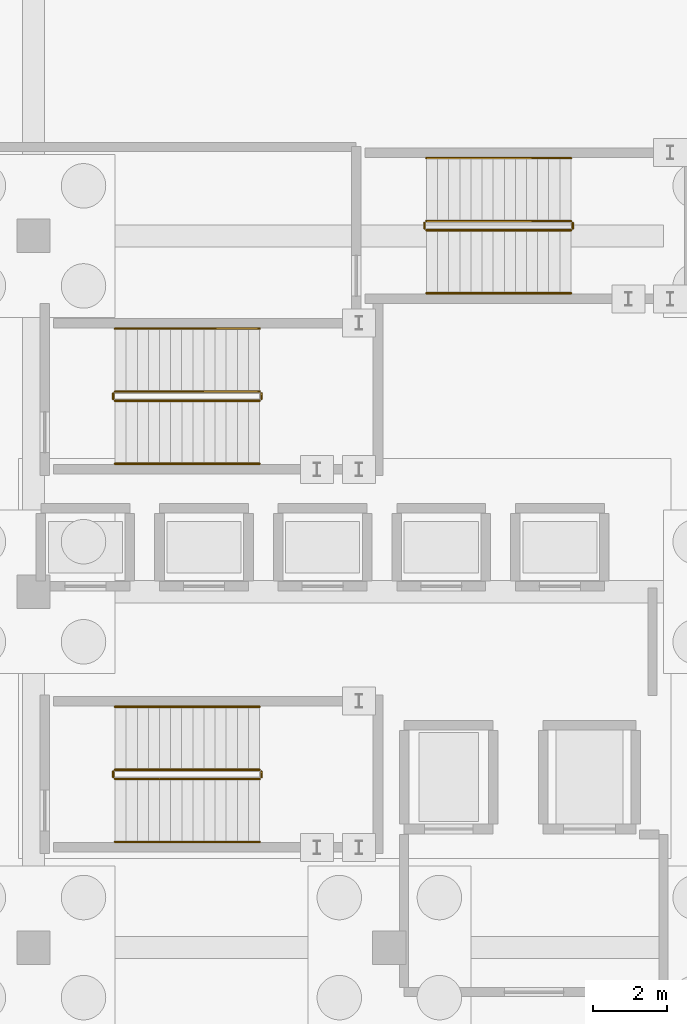
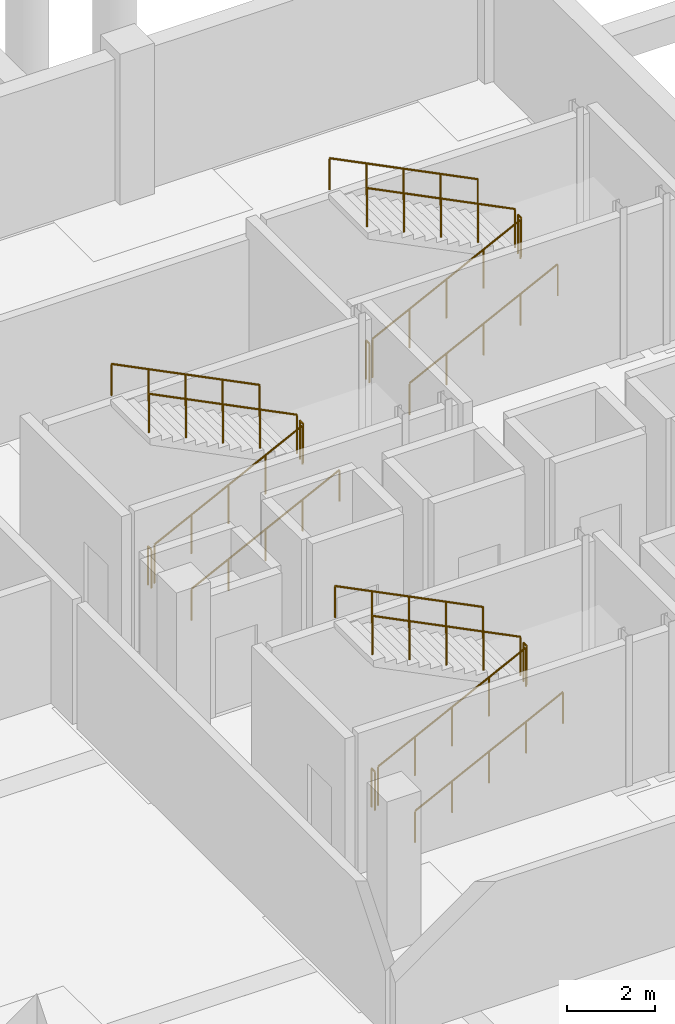
# One storey, part 53 of 54: 18 railings.
"""IFC4 building model written with IfcOpenShell, lengths in metres."""

import ifcopenshell
import ifcopenshell.guid

model = None  # the IFC model being written
_history = None  # IfcOwnerHistory: only IFC2X3 demands one
_inside = {}  # id of a spatial element -> (the spatial element, [elements in it])
_under = {}  # id of a project, library or spatial element -> (it, [spatial elements below it])
_declared = {}  # id of a project -> (the project, [libraries it declares])
_typed = {}  # id of a type object -> (the type object, [elements of that type])
_made_of = {}  # id of a material, layer set ... -> (it, [elements and type objects made of it])


def new_model(schema):
    """Start an empty IFC model of exactly this schema.

    Asked for "IFC4X3", IfcOpenShell would pick the latest addendum, in which some entities
    have other attributes; the version numbers below select the first issue.
    IFC2X3 requires an IfcOwnerHistory on every rooted entity: one is made here for all.
    """
    global model, _history
    if schema == "IFC4X3":
        model = ifcopenshell.file(schema_version=(4, 3, 0, 0))
    else:
        model = ifcopenshell.file(schema=schema)
    _inside.clear()
    _under.clear()
    _declared.clear()
    _typed.clear()
    _made_of.clear()
    _history = None
    if model.schema == "IFC2X3":
        org = make("IfcOrganization", Name="unknown")
        user = make(
            "IfcPersonAndOrganization",
            ThePerson=make("IfcPerson", FamilyName="unknown"),
            TheOrganization=org,
        )
        app = make(
            "IfcApplication",
            ApplicationDeveloper=org,
            Version="unknown",
            ApplicationFullName="unknown",
            ApplicationIdentifier="unknown",
        )
        _history = make(
            "IfcOwnerHistory",
            OwningUser=user,
            OwningApplication=app,
            ChangeAction="ADDED",
            CreationDate=0,
        )
    return model


def make(cls, **values):
    """One entity of the class cls with the attributes given. An attribute that is None is left unset."""
    return model.create_entity(
        cls, **{name: value for name, value in values.items() if value is not None}
    )


def rooted(cls, **values):
    """An entity with a GlobalId (a new one), such as an element, a storey or a relation."""
    return make(cls, GlobalId=ifcopenshell.guid.new(), OwnerHistory=_history, **values)


def si_unit(unit_type, name, prefix=None):
    """IfcSIUnit, for example si_unit("LENGTHUNIT", "METRE", prefix="MILLI")."""
    return make("IfcSIUnit", UnitType=unit_type, Prefix=prefix, Name=name)


def assignment(units):
    """IfcUnitAssignment: the units of a project."""
    return None if units is None else make("IfcUnitAssignment", Units=units)


def point(xyz):
    """IfcCartesianPoint."""
    return None if xyz is None else make("IfcCartesianPoint", Coordinates=xyz)


def direction(xyz):
    """IfcDirection."""
    return None if xyz is None else make("IfcDirection", DirectionRatios=xyz)


def frame(location, z_axis=None, x_axis=None):
    """IfcAxis2Placement3D, a coordinate frame: its origin and axes. An axis left out is left unset."""
    return make(
        "IfcAxis2Placement3D",
        Location=point(location),
        Axis=direction(z_axis),
        RefDirection=direction(x_axis),
    )


def frame_2d(location, x_axis=None):
    """IfcAxis2Placement2D, a coordinate frame in the plane: its origin and x axis."""
    return make(
        "IfcAxis2Placement2D", Location=point(location), RefDirection=direction(x_axis)
    )


def origin():
    """The frame at (0, 0, 0) with its axes left unset."""
    return frame((0.0, 0.0, 0.0))


def origin_2d():
    """The frame at (0, 0) in the plane with its x axis left unset."""
    return frame_2d((0.0, 0.0))


def place(relative_to, where):
    """IfcLocalPlacement: puts the frame where relative to a parent placement (None: the world)."""
    return make(
        "IfcLocalPlacement", PlacementRelTo=relative_to, RelativePlacement=where
    )


def context(
    kind, dimensions, precision=None, world=None, true_north=None, identifier=None
):
    """IfcGeometricRepresentationContext, for example the 3D "Model" context."""
    return make(
        "IfcGeometricRepresentationContext",
        ContextIdentifier=identifier,
        ContextType=kind,
        CoordinateSpaceDimension=dimensions,
        Precision=precision,
        WorldCoordinateSystem=world,
        TrueNorth=true_north,
    )


def subcontext(parent, identifier, kind, view, scale=None):
    """IfcGeometricRepresentationSubContext, for example "Body" below "Model"."""
    return make(
        "IfcGeometricRepresentationSubContext",
        ContextIdentifier=identifier,
        ContextType=kind,
        ParentContext=parent,
        TargetScale=scale,
        TargetView=view,
    )


def project(units=None, contexts=None):
    """IfcProject with its units and contexts."""
    return rooted(
        "IfcProject",
        Name="project",
        RepresentationContexts=contexts,
        UnitsInContext=assignment(units),
    )


def spatial(cls, under=None, at=None, **own):
    """A site, building, storey or space (cls), placed at a placement, below another one or the project."""
    s = rooted(cls, ObjectPlacement=at, **own)
    if under is not None:
        _under.setdefault(under.id(), (under, []))[1].append(s)
    return s


def profile(cls, at=None, kind="AREA", **sizes):
    """A parametric profile (cls). Its sizes go by their IFC names, for example OverallWidth=200.0."""
    return make(cls, ProfileType=kind, Position=at, **sizes)


def circle(**sizes):
    """IfcCircleProfileDef."""
    return profile("IfcCircleProfileDef", **sizes)


def extrude(swept, where, along, depth):
    """IfcExtrudedAreaSolid: the profile swept, set in the frame where, extruded along a direction by depth."""
    return make(
        "IfcExtrudedAreaSolid",
        SweptArea=swept,
        Position=where,
        ExtrudedDirection=direction(along),
        Depth=depth,
    )


def shape(context_of_items, identifier, shape_type, items):
    """IfcShapeRepresentation: the items that make up one representation, for example the "Body"."""
    return make(
        "IfcShapeRepresentation",
        ContextOfItems=context_of_items,
        RepresentationIdentifier=identifier,
        RepresentationType=shape_type,
        Items=items,
    )


def material(Name=None, Category=None):
    """IfcMaterial."""
    return make("IfcMaterial", Name=Name, Category=Category)


def made_of(thing, what):
    """Note that an element or type object is made of a material, layer set ...; save() writes the relation."""
    if what is not None:
        _made_of.setdefault(what.id(), (what, []))[1].append(thing)
    return thing


def type_object(cls, material=None, **own):
    """A type object (cls), such as IfcWallType, which elements share."""
    return made_of(rooted(cls, **own), material)


def element(
    cls,
    number,
    at=None,
    inside=None,
    cuts=None,
    type_object=None,
    material=None,
    context=None,
    identifier="Body",
    shape_type=None,
    held_by="IfcProductDefinitionShape",
    body=None,
    shapes=None,
    **own,
):
    """One element of the class cls, such as IfcWall. Its Tag is "e" and its number.

    at: its placement. inside: the storey or other place that contains it. cuts: it is an
    opening in that element (IfcRelVoidsElement). A single representation is given by context,
    identifier, shape_type and body (its items); several are given by shapes. held_by: the class
    of the entity that holds the representations. save() writes the other relations.
    """
    e = rooted(cls, Tag="e%d" % number, ObjectPlacement=at, **own)
    if body is not None:
        shapes = [shape(context, identifier, shape_type, body)]
    if shapes is not None:
        e.Representation = make(held_by, Representations=shapes)
    if inside is not None:
        _inside.setdefault(inside.id(), (inside, []))[1].append(e)
    if cuts is not None:
        rooted(
            "IfcRelVoidsElement", RelatingBuildingElement=cuts, RelatedOpeningElement=e
        )
    if type_object is not None:
        _typed.setdefault(type_object.id(), (type_object, []))[1].append(e)
    return made_of(e, material)


def aggregate(whole, parts):
    """IfcRelAggregates: a whole, such as a stair, and the parts it consists of."""
    return rooted("IfcRelAggregates", RelatingObject=whole, RelatedObjects=parts)


def save(model, path):
    """Write the relations noted so far, then the file.

    IfcRelAggregates (storeys below a building ...), IfcRelContainedInSpatialStructure (elements
    in a storey), IfcRelDefinesByType, IfcRelAssociatesMaterial and IfcRelDeclares: one each for
    every whole, place, type object, material and project.
    """
    for whole, parts in _under.values():
        aggregate(whole, parts)
    for where, things in _inside.values():
        rooted(
            "IfcRelContainedInSpatialStructure",
            RelatedElements=things,
            RelatingStructure=where,
        )
    for kind, things in _typed.values():
        rooted("IfcRelDefinesByType", RelatedObjects=things, RelatingType=kind)
    for what, things in _made_of.values():
        rooted("IfcRelAssociatesMaterial", RelatedObjects=things, RelatingMaterial=what)
    for by, libraries in _declared.values():
        rooted("IfcRelDeclares", RelatingContext=by, RelatedDefinitions=libraries)
    model.write(path)


model = new_model("IFC4")

# Units and contexts
model_context = context("Model", 3, precision=1e-05, world=origin(), true_north=direction((0.0, 1.0)))
body_context = subcontext(model_context, "Body", "Model", "MODEL_VIEW")
ifc_project = project(units=[si_unit("LENGTHUNIT", "METRE"), si_unit("AREAUNIT", "SQUARE_METRE"), si_unit("VOLUMEUNIT", "CUBIC_METRE"), si_unit("PLANEANGLEUNIT", "RADIAN"), si_unit("MASSUNIT", "GRAM", prefix="KILO")], contexts=[model_context])

# Site, building, storey
site_placement = place(None, origin())
site = spatial("IfcSite", under=ifc_project, at=site_placement, CompositionType="ELEMENT")
building_placement = place(site_placement, origin())
building = spatial("IfcBuilding", under=site, at=building_placement, Name="Zevrakil Square Congress Hotel", CompositionType="ELEMENT")
storey_placement = place(building_placement, frame((0.0, 0.0, -8.39990234375)))
storey = spatial("IfcBuildingStorey", under=building, at=storey_placement, Name="B2", CompositionType="ELEMENT", Elevation=-8.39990234375)

# Railings
ifc_material_1 = material(Name="Steel S355", Category="steel")
railing_type_1 = type_object("IfcRailingType", Name="RLG-STAIR-GUARD-1100", PredefinedType="BALUSTRADE", material=ifc_material_1)
railing_1_placement = place(storey_placement, frame((139.0, 21.35009765625, 0.14990234375)))
element("IfcRailing", 1, at=railing_1_placement, inside=storey, type_object=railing_type_1, Name="B2 ST01 stair guard 1", PredefinedType="BALUSTRADE", context=body_context, shape_type="SweptSolid", body=[
    extrude(circle(Radius=0.02392578125, at=origin_2d()), frame((0.0, 0.0, 1.076171875), z_axis=(0.894427191, 0.0, 0.4472135955), x_axis=(0.0, 1.0, 0.0)), (0.0, 0.0, 1.0), 4.360107421875),
    extrude(circle(Radius=0.02099609375, at=origin_2d()), origin(), (0.0, 0.0, 1.0), 1.052001953125),
    extrude(circle(Radius=0.02099609375, at=origin_2d()), frame((0.97509765625, 0.0, 0.487548828125)), (0.0, 0.0, 1.0), 1.052001953125),
    extrude(circle(Radius=0.02099609375, at=origin_2d()), frame((1.949951171875, 0.0, 0.97509765625)), (0.0, 0.0, 1.0), 1.052001953125),
    extrude(circle(Radius=0.02099609375, at=origin_2d()), frame((2.9248046875, 0.0, 1.46240234375)), (0.0, 0.0, 1.0), 1.052001953125),
    extrude(circle(Radius=0.02099609375, at=origin_2d()), frame((3.89990234375, 0.0, 1.949951171875)), (0.0, 0.0, 1.0), 1.052001953125),
])
railing_2_placement = place(storey_placement, frame((142.949951171875, 21.39990234375, 2.099853515625)))
element("IfcRailing", 2, at=railing_2_placement, inside=storey, type_object=railing_type_1, Name="B2 ST01 stair guard 2", PredefinedType="BALUSTRADE", context=body_context, shape_type="SweptSolid", body=[
    extrude(circle(Radius=0.02392578125, at=origin_2d()), frame((0.0, 0.0, 1.076171875), z_axis=(0.0, 1.0, 0.0), x_axis=(-1.0, 0.0, 0.0)), (0.0, 0.0, 1.0), 0.150146484375),
    extrude(circle(Radius=0.02099609375, at=origin_2d()), origin(), (0.0, 0.0, 1.0), 1.052001953125),
    extrude(circle(Radius=0.02099609375, at=origin_2d()), frame((0.0, 0.150146484375, 0.0)), (0.0, 0.0, 1.0), 1.052001953125),
])
railing_3_placement = place(storey_placement, frame((142.89990234375, 21.60009765625, 2.25)))
element("IfcRailing", 3, at=railing_3_placement, inside=storey, type_object=railing_type_1, Name="B2 ST01 stair guard 3", PredefinedType="BALUSTRADE", context=body_context, shape_type="SweptSolid", body=[
    extrude(circle(Radius=0.02392578125, at=origin_2d()), frame((0.0, 0.0, 1.076171875), z_axis=(-0.894427191, 0.0, 0.4472135955), x_axis=(0.0, -1.0, 0.0)), (0.0, 0.0, 1.0), 4.360107421875),
    extrude(circle(Radius=0.02099609375, at=origin_2d()), origin(), (0.0, 0.0, 1.0), 1.052001953125),
    extrude(circle(Radius=0.02099609375, at=origin_2d()), frame((-0.97509765625, 0.0, 0.487548828125)), (0.0, 0.0, 1.0), 1.052001953125),
    extrude(circle(Radius=0.02099609375, at=origin_2d()), frame((-1.949951171875, 0.0, 0.97509765625)), (0.0, 0.0, 1.0), 1.052001953125),
    extrude(circle(Radius=0.02099609375, at=origin_2d()), frame((-2.9248046875, 0.0, 1.46240234375)), (0.0, 0.0, 1.0), 1.052001953125),
    extrude(circle(Radius=0.02099609375, at=origin_2d()), frame((-3.89990234375, 0.0, 1.949951171875)), (0.0, 0.0, 1.0), 1.052001953125),
])
railing_4_placement = place(storey_placement, frame((138.949951171875, 21.39990234375, 0.0)))
element("IfcRailing", 4, at=railing_4_placement, inside=storey, type_object=railing_type_1, Name="B2 ST01 stair guard 4", PredefinedType="BALUSTRADE", context=body_context, shape_type="SweptSolid", body=[
    extrude(circle(Radius=0.02392578125, at=origin_2d()), frame((0.0, 0.0, 1.076171875), z_axis=(0.0, 1.0, 0.0), x_axis=(-1.0, 0.0, 0.0)), (0.0, 0.0, 1.0), 0.150146484375),
    extrude(circle(Radius=0.02099609375, at=origin_2d()), origin(), (0.0, 0.0, 1.0), 1.052001953125),
    extrude(circle(Radius=0.02099609375, at=origin_2d()), frame((0.0, 0.150146484375, 0.0)), (0.0, 0.0, 1.0), 1.052001953125),
])
railing_5_placement = place(storey_placement, frame((139.0, 31.550048828125, 0.14990234375)))
element("IfcRailing", 5, at=railing_5_placement, inside=storey, type_object=railing_type_1, Name="B2 ST02 stair guard 1", PredefinedType="BALUSTRADE", context=body_context, shape_type="SweptSolid", body=[
    extrude(circle(Radius=0.02392578125, at=origin_2d()), frame((0.0, 0.0, 1.076171875), z_axis=(0.894427191, 0.0, 0.4472135955), x_axis=(0.0, 1.0, 0.0)), (0.0, 0.0, 1.0), 4.360107421875),
    extrude(circle(Radius=0.02099609375, at=origin_2d()), origin(), (0.0, 0.0, 1.0), 1.052001953125),
    extrude(circle(Radius=0.02099609375, at=origin_2d()), frame((0.97509765625, 0.0, 0.487548828125)), (0.0, 0.0, 1.0), 1.052001953125),
    extrude(circle(Radius=0.02099609375, at=origin_2d()), frame((1.949951171875, 0.0, 0.97509765625)), (0.0, 0.0, 1.0), 1.052001953125),
    extrude(circle(Radius=0.02099609375, at=origin_2d()), frame((2.9248046875, 0.0, 1.46240234375)), (0.0, 0.0, 1.0), 1.052001953125),
    extrude(circle(Radius=0.02099609375, at=origin_2d()), frame((3.89990234375, 0.0, 1.949951171875)), (0.0, 0.0, 1.0), 1.052001953125),
])
railing_6_placement = place(storey_placement, frame((142.949951171875, 31.60009765625, 2.099853515625)))
element("IfcRailing", 6, at=railing_6_placement, inside=storey, type_object=railing_type_1, Name="B2 ST02 stair guard 2", PredefinedType="BALUSTRADE", context=body_context, shape_type="SweptSolid", body=[
    extrude(circle(Radius=0.02392578125, at=origin_2d()), frame((0.0, 0.0, 1.076171875), z_axis=(0.0, 1.0, 0.0), x_axis=(-1.0, 0.0, 0.0)), (0.0, 0.0, 1.0), 0.14990234375),
    extrude(circle(Radius=0.02099609375, at=origin_2d()), origin(), (0.0, 0.0, 1.0), 1.052001953125),
    extrude(circle(Radius=0.02099609375, at=origin_2d()), frame((0.0, 0.14990234375, 0.0)), (0.0, 0.0, 1.0), 1.052001953125),
])
railing_7_placement = place(storey_placement, frame((142.89990234375, 31.800048828125, 2.25)))
element("IfcRailing", 7, at=railing_7_placement, inside=storey, type_object=railing_type_1, Name="B2 ST02 stair guard 3", PredefinedType="BALUSTRADE", context=body_context, shape_type="SweptSolid", body=[
    extrude(circle(Radius=0.02392578125, at=origin_2d()), frame((0.0, 0.0, 1.076171875), z_axis=(-0.894427191, 0.0, 0.4472135955), x_axis=(0.0, -1.0, 0.0)), (0.0, 0.0, 1.0), 4.360107421875),
    extrude(circle(Radius=0.02099609375, at=origin_2d()), origin(), (0.0, 0.0, 1.0), 1.052001953125),
    extrude(circle(Radius=0.02099609375, at=origin_2d()), frame((-0.97509765625, 0.0, 0.487548828125)), (0.0, 0.0, 1.0), 1.052001953125),
    extrude(circle(Radius=0.02099609375, at=origin_2d()), frame((-1.949951171875, 0.0, 0.97509765625)), (0.0, 0.0, 1.0), 1.052001953125),
    extrude(circle(Radius=0.02099609375, at=origin_2d()), frame((-2.9248046875, 0.0, 1.46240234375)), (0.0, 0.0, 1.0), 1.052001953125),
    extrude(circle(Radius=0.02099609375, at=origin_2d()), frame((-3.89990234375, 0.0, 1.949951171875)), (0.0, 0.0, 1.0), 1.052001953125),
])
railing_8_placement = place(storey_placement, frame((138.949951171875, 31.60009765625, 0.0)))
element("IfcRailing", 8, at=railing_8_placement, inside=storey, type_object=railing_type_1, Name="B2 ST02 stair guard 4", PredefinedType="BALUSTRADE", context=body_context, shape_type="SweptSolid", body=[
    extrude(circle(Radius=0.02392578125, at=origin_2d()), frame((0.0, 0.0, 1.076171875), z_axis=(0.0, 1.0, 0.0), x_axis=(-1.0, 0.0, 0.0)), (0.0, 0.0, 1.0), 0.14990234375),
    extrude(circle(Radius=0.02099609375, at=origin_2d()), origin(), (0.0, 0.0, 1.0), 1.052001953125),
    extrude(circle(Radius=0.02099609375, at=origin_2d()), frame((0.0, 0.14990234375, 0.0)), (0.0, 0.0, 1.0), 1.052001953125),
])
railing_9_placement = place(storey_placement, frame((147.39990234375, 36.14990234375, 0.14990234375)))
element("IfcRailing", 9, at=railing_9_placement, inside=storey, type_object=railing_type_1, Name="B2 ST03 stair guard 1", PredefinedType="BALUSTRADE", context=body_context, shape_type="SweptSolid", body=[
    extrude(circle(Radius=0.02392578125, at=origin_2d()), frame((0.0, 0.0, 1.076171875), z_axis=(0.894438388696, 0.0, 0.447191199406), x_axis=(0.0, 1.0, 0.0)), (0.0, 0.0, 1.0), 4.3603515625),
    extrude(circle(Radius=0.02099609375, at=origin_2d()), origin(), (0.0, 0.0, 1.0), 1.052001953125),
    extrude(circle(Radius=0.02099609375, at=origin_2d()), frame((0.97509765625, 0.0, 0.487548828125)), (0.0, 0.0, 1.0), 1.052001953125),
    extrude(circle(Radius=0.02099609375, at=origin_2d()), frame((1.9501953125, 0.0, 0.97509765625)), (0.0, 0.0, 1.0), 1.052001953125),
    extrude(circle(Radius=0.02099609375, at=origin_2d()), frame((2.925048828125, 0.0, 1.46240234375)), (0.0, 0.0, 1.0), 1.052001953125),
    extrude(circle(Radius=0.02099609375, at=origin_2d()), frame((3.900146484375, 0.0, 1.949951171875)), (0.0, 0.0, 1.0), 1.052001953125),
])
railing_10_placement = place(storey_placement, frame((151.35009765625, 36.199951171875, 2.099853515625)))
element("IfcRailing", 10, at=railing_10_placement, inside=storey, type_object=railing_type_1, Name="B2 ST03 stair guard 2", PredefinedType="BALUSTRADE", context=body_context, shape_type="SweptSolid", body=[
    extrude(circle(Radius=0.02392578125, at=origin_2d()), frame((0.0, 0.0, 1.076171875), z_axis=(0.0, 1.0, 0.0), x_axis=(-1.0, 0.0, 0.0)), (0.0, 0.0, 1.0), 0.150146484375),
    extrude(circle(Radius=0.02099609375, at=origin_2d()), origin(), (0.0, 0.0, 1.0), 1.052001953125),
    extrude(circle(Radius=0.02099609375, at=origin_2d()), frame((0.0, 0.150146484375, 0.0)), (0.0, 0.0, 1.0), 1.052001953125),
])
railing_11_placement = place(storey_placement, frame((151.300048828125, 36.39990234375, 2.25)))
element("IfcRailing", 11, at=railing_11_placement, inside=storey, type_object=railing_type_1, Name="B2 ST03 stair guard 3", PredefinedType="BALUSTRADE", context=body_context, shape_type="SweptSolid", body=[
    extrude(circle(Radius=0.02392578125, at=origin_2d()), frame((0.0, 0.0, 1.076171875), z_axis=(-0.894438388696, 0.0, 0.447191199406), x_axis=(0.0, -1.0, 0.0)), (0.0, 0.0, 1.0), 4.3603515625),
    extrude(circle(Radius=0.02099609375, at=origin_2d()), origin(), (0.0, 0.0, 1.0), 1.052001953125),
    extrude(circle(Radius=0.02099609375, at=origin_2d()), frame((-0.97509765625, 0.0, 0.487548828125)), (0.0, 0.0, 1.0), 1.052001953125),
    extrude(circle(Radius=0.02099609375, at=origin_2d()), frame((-1.9501953125, 0.0, 0.97509765625)), (0.0, 0.0, 1.0), 1.052001953125),
    extrude(circle(Radius=0.02099609375, at=origin_2d()), frame((-2.925048828125, 0.0, 1.46240234375)), (0.0, 0.0, 1.0), 1.052001953125),
    extrude(circle(Radius=0.02099609375, at=origin_2d()), frame((-3.900146484375, 0.0, 1.949951171875)), (0.0, 0.0, 1.0), 1.052001953125),
])
railing_12_placement = place(storey_placement, frame((147.35009765625, 36.199951171875, 0.0)))
element("IfcRailing", 12, at=railing_12_placement, inside=storey, type_object=railing_type_1, Name="B2 ST03 stair guard 4", PredefinedType="BALUSTRADE", context=body_context, shape_type="SweptSolid", body=[
    extrude(circle(Radius=0.02392578125, at=origin_2d()), frame((0.0, 0.0, 1.076171875), z_axis=(0.0, 1.0, 0.0), x_axis=(-1.0, 0.0, 0.0)), (0.0, 0.0, 1.0), 0.150146484375),
    extrude(circle(Radius=0.02099609375, at=origin_2d()), origin(), (0.0, 0.0, 1.0), 1.052001953125),
    extrude(circle(Radius=0.02099609375, at=origin_2d()), frame((0.0, 0.150146484375, 0.0)), (0.0, 0.0, 1.0), 1.052001953125),
])
ifc_material_2 = material(Name="Steel S355", Category="steel")
railing_type_2 = type_object("IfcRailingType", Name="RLG-STAIR-HAND-900", PredefinedType="HANDRAIL", material=ifc_material_2)
railing_13_placement = place(storey_placement, frame((139.0, 19.64990234375, 0.14990234375)))
element("IfcRailing", 13, at=railing_13_placement, inside=storey, type_object=railing_type_2, Name="B2 ST01 stair handrail 1", PredefinedType="HANDRAIL", context=body_context, shape_type="SweptSolid", body=[
    extrude(circle(Radius=0.02392578125, at=origin_2d()), frame((0.0, 0.0, 0.8759765625), z_axis=(0.894427191, 0.0, 0.4472135955), x_axis=(0.0, 1.0, 0.0)), (0.0, 0.0, 1.0), 4.360107421875),
    extrude(circle(Radius=0.02099609375, at=origin_2d()), origin(), (0.0, 0.0, 1.0), 0.851806640625),
    extrude(circle(Radius=0.02099609375, at=origin_2d()), frame((0.97509765625, 0.0, 0.487548828125)), (0.0, 0.0, 1.0), 0.851806640625),
    extrude(circle(Radius=0.02099609375, at=origin_2d()), frame((1.949951171875, 0.0, 0.97509765625)), (0.0, 0.0, 1.0), 0.851806640625),
    extrude(circle(Radius=0.02099609375, at=origin_2d()), frame((2.9248046875, 0.0, 1.46240234375)), (0.0, 0.0, 1.0), 0.851806640625),
    extrude(circle(Radius=0.02099609375, at=origin_2d()), frame((3.89990234375, 0.0, 1.949951171875)), (0.0, 0.0, 1.0), 0.851806640625),
])
railing_14_placement = place(storey_placement, frame((142.89990234375, 23.300048828125, 2.25)))
element("IfcRailing", 14, at=railing_14_placement, inside=storey, type_object=railing_type_2, Name="B2 ST01 stair handrail 2", PredefinedType="HANDRAIL", context=body_context, shape_type="SweptSolid", body=[
    extrude(circle(Radius=0.02392578125, at=origin_2d()), frame((0.0, 0.0, 0.8759765625), z_axis=(-0.894427191, 0.0, 0.4472135955), x_axis=(0.0, -1.0, 0.0)), (0.0, 0.0, 1.0), 4.360107421875),
    extrude(circle(Radius=0.02099609375, at=origin_2d()), origin(), (0.0, 0.0, 1.0), 0.851806640625),
    extrude(circle(Radius=0.02099609375, at=origin_2d()), frame((-0.97509765625, 0.0, 0.487548828125)), (0.0, 0.0, 1.0), 0.851806640625),
    extrude(circle(Radius=0.02099609375, at=origin_2d()), frame((-1.949951171875, 0.0, 0.97509765625)), (0.0, 0.0, 1.0), 0.851806640625),
    extrude(circle(Radius=0.02099609375, at=origin_2d()), frame((-2.9248046875, 0.0, 1.46240234375)), (0.0, 0.0, 1.0), 0.851806640625),
    extrude(circle(Radius=0.02099609375, at=origin_2d()), frame((-3.89990234375, 0.0, 1.949951171875)), (0.0, 0.0, 1.0), 0.851806640625),
])
railing_15_placement = place(storey_placement, frame((139.0, 29.85009765625, 0.14990234375)))
element("IfcRailing", 15, at=railing_15_placement, inside=storey, type_object=railing_type_2, Name="B2 ST02 stair handrail 1", PredefinedType="HANDRAIL", context=body_context, shape_type="SweptSolid", body=[
    extrude(circle(Radius=0.02392578125, at=origin_2d()), frame((0.0, 0.0, 0.8759765625), z_axis=(0.894427191, 0.0, 0.4472135955), x_axis=(0.0, 1.0, 0.0)), (0.0, 0.0, 1.0), 4.360107421875),
    extrude(circle(Radius=0.02099609375, at=origin_2d()), origin(), (0.0, 0.0, 1.0), 0.851806640625),
    extrude(circle(Radius=0.02099609375, at=origin_2d()), frame((0.97509765625, 0.0, 0.487548828125)), (0.0, 0.0, 1.0), 0.851806640625),
    extrude(circle(Radius=0.02099609375, at=origin_2d()), frame((1.949951171875, 0.0, 0.97509765625)), (0.0, 0.0, 1.0), 0.851806640625),
    extrude(circle(Radius=0.02099609375, at=origin_2d()), frame((2.9248046875, 0.0, 1.46240234375)), (0.0, 0.0, 1.0), 0.851806640625),
    extrude(circle(Radius=0.02099609375, at=origin_2d()), frame((3.89990234375, 0.0, 1.949951171875)), (0.0, 0.0, 1.0), 0.851806640625),
])
railing_16_placement = place(storey_placement, frame((142.89990234375, 33.5, 2.25)))
element("IfcRailing", 16, at=railing_16_placement, inside=storey, type_object=railing_type_2, Name="B2 ST02 stair handrail 2", PredefinedType="HANDRAIL", context=body_context, shape_type="SweptSolid", body=[
    extrude(circle(Radius=0.02392578125, at=origin_2d()), frame((0.0, 0.0, 0.8759765625), z_axis=(-0.894427191, 0.0, 0.4472135955), x_axis=(0.0, -1.0, 0.0)), (0.0, 0.0, 1.0), 4.360107421875),
    extrude(circle(Radius=0.02099609375, at=origin_2d()), origin(), (0.0, 0.0, 1.0), 0.851806640625),
    extrude(circle(Radius=0.02099609375, at=origin_2d()), frame((-0.97509765625, 0.0, 0.487548828125)), (0.0, 0.0, 1.0), 0.851806640625),
    extrude(circle(Radius=0.02099609375, at=origin_2d()), frame((-1.949951171875, 0.0, 0.97509765625)), (0.0, 0.0, 1.0), 0.851806640625),
    extrude(circle(Radius=0.02099609375, at=origin_2d()), frame((-2.9248046875, 0.0, 1.46240234375)), (0.0, 0.0, 1.0), 0.851806640625),
    extrude(circle(Radius=0.02099609375, at=origin_2d()), frame((-3.89990234375, 0.0, 1.949951171875)), (0.0, 0.0, 1.0), 0.851806640625),
])
railing_17_placement = place(storey_placement, frame((147.39990234375, 34.449951171875, 0.14990234375)))
element("IfcRailing", 17, at=railing_17_placement, inside=storey, type_object=railing_type_2, Name="B2 ST03 stair handrail 1", PredefinedType="HANDRAIL", context=body_context, shape_type="SweptSolid", body=[
    extrude(circle(Radius=0.02392578125, at=origin_2d()), frame((0.0, 0.0, 0.8759765625), z_axis=(0.894438388696, 0.0, 0.447191199406), x_axis=(0.0, 1.0, 0.0)), (0.0, 0.0, 1.0), 4.3603515625),
    extrude(circle(Radius=0.02099609375, at=origin_2d()), origin(), (0.0, 0.0, 1.0), 0.851806640625),
    extrude(circle(Radius=0.02099609375, at=origin_2d()), frame((0.97509765625, 0.0, 0.487548828125)), (0.0, 0.0, 1.0), 0.851806640625),
    extrude(circle(Radius=0.02099609375, at=origin_2d()), frame((1.9501953125, 0.0, 0.97509765625)), (0.0, 0.0, 1.0), 0.851806640625),
    extrude(circle(Radius=0.02099609375, at=origin_2d()), frame((2.925048828125, 0.0, 1.46240234375)), (0.0, 0.0, 1.0), 0.851806640625),
    extrude(circle(Radius=0.02099609375, at=origin_2d()), frame((3.900146484375, 0.0, 1.949951171875)), (0.0, 0.0, 1.0), 0.851806640625),
])
railing_18_placement = place(storey_placement, frame((151.300048828125, 38.10009765625, 2.25)))
element("IfcRailing", 18, at=railing_18_placement, inside=storey, type_object=railing_type_2, Name="B2 ST03 stair handrail 2", PredefinedType="HANDRAIL", context=body_context, shape_type="SweptSolid", body=[
    extrude(circle(Radius=0.02392578125, at=origin_2d()), frame((0.0, 0.0, 0.8759765625), z_axis=(-0.894438388696, 0.0, 0.447191199406), x_axis=(0.0, -1.0, 0.0)), (0.0, 0.0, 1.0), 4.3603515625),
    extrude(circle(Radius=0.02099609375, at=origin_2d()), origin(), (0.0, 0.0, 1.0), 0.851806640625),
    extrude(circle(Radius=0.02099609375, at=origin_2d()), frame((-0.97509765625, 0.0, 0.487548828125)), (0.0, 0.0, 1.0), 0.851806640625),
    extrude(circle(Radius=0.02099609375, at=origin_2d()), frame((-1.9501953125, 0.0, 0.97509765625)), (0.0, 0.0, 1.0), 0.851806640625),
    extrude(circle(Radius=0.02099609375, at=origin_2d()), frame((-2.925048828125, 0.0, 1.46240234375)), (0.0, 0.0, 1.0), 0.851806640625),
    extrude(circle(Radius=0.02099609375, at=origin_2d()), frame((-3.900146484375, 0.0, 1.949951171875)), (0.0, 0.0, 1.0), 0.851806640625),
])

save(model, "model.ifc")
